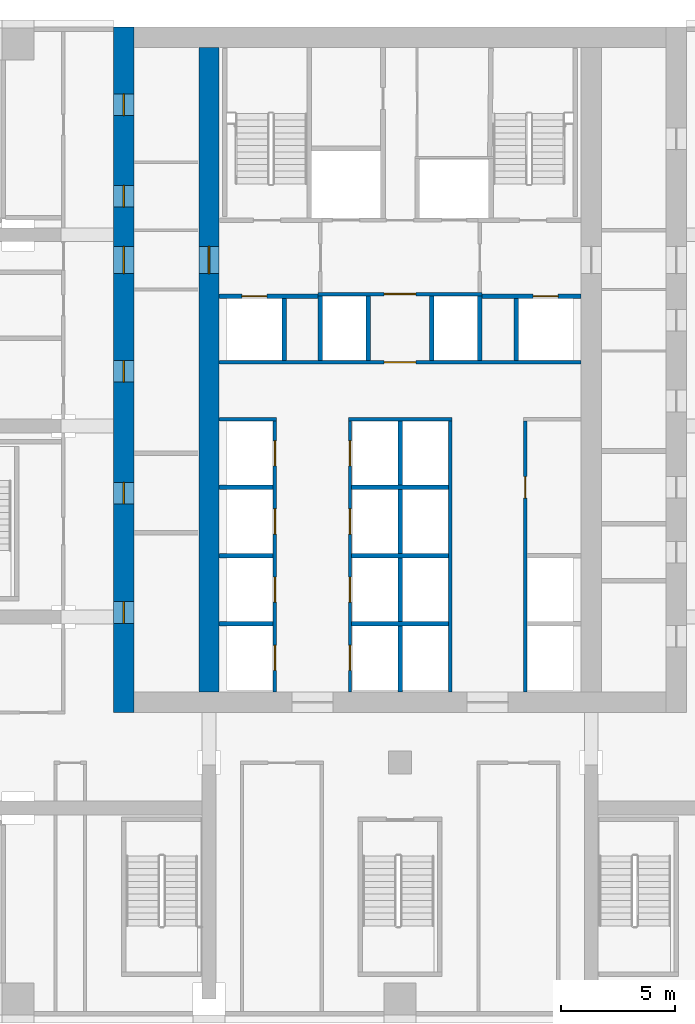
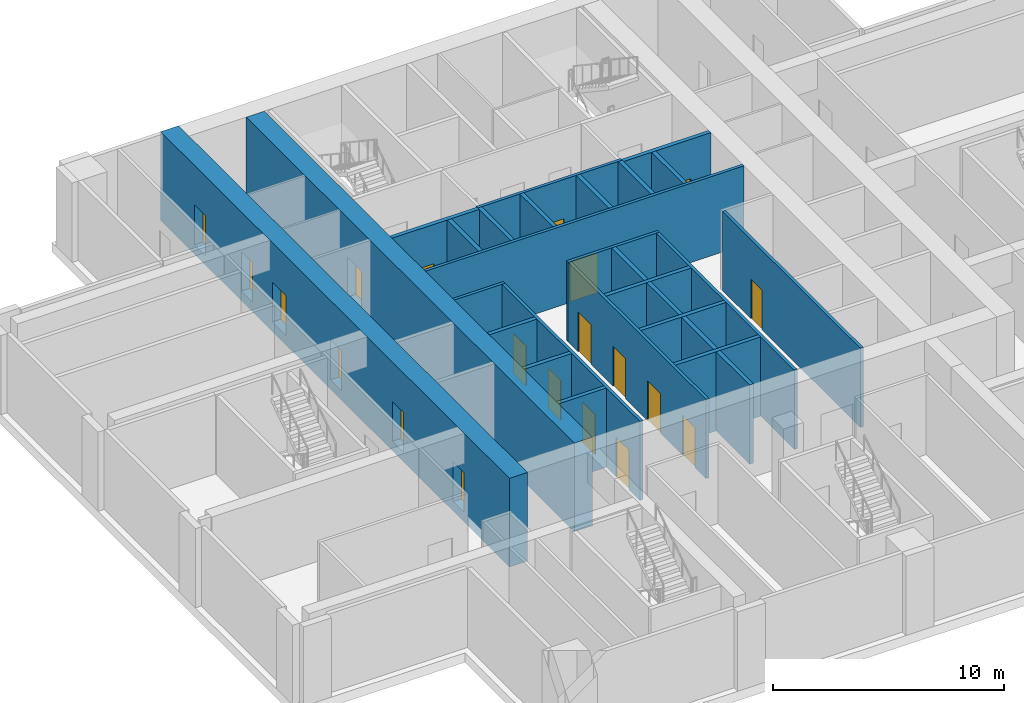
# One storey, part 3 of 11: 25 walls, 20 doors, 20 openings.
"""IFC4 building model written with IfcOpenShell, lengths in metres."""

from ifc_helpers import new_model, si_unit, direction, frame, frame_2d, origin, place, context, subcontext, project, spatial, rectangle, extrude, material, layer, layer_set, type_object, element, fill, save


model = new_model("IFC4")

# Units and contexts
model_context = context("Model", 3, precision=1e-05, world=origin(), true_north=direction((0.0, 1.0)))
body_context = subcontext(model_context, "Body", "Model", "MODEL_VIEW")
ifc_project = project(units=[si_unit("LENGTHUNIT", "METRE"), si_unit("AREAUNIT", "SQUARE_METRE"), si_unit("VOLUMEUNIT", "CUBIC_METRE"), si_unit("PLANEANGLEUNIT", "RADIAN"), si_unit("MASSUNIT", "GRAM", prefix="KILO")], contexts=[model_context])

# Site, building, storey
site_placement = place(None, origin())
site = spatial("IfcSite", under=ifc_project, at=site_placement, CompositionType="ELEMENT")
building_placement = place(site_placement, origin())
building = spatial("IfcBuilding", under=site, at=building_placement, Name="Vermilion Ogive Tower", CompositionType="ELEMENT")
storey_placement = place(building_placement, frame((0.0, 0.0, 75.89990234375)))
storey = spatial("IfcBuildingStorey", under=building, at=storey_placement, Name="L18", CompositionType="ELEMENT", Elevation=75.89990234375)

# Wall, openings, doors
ifc_material_1 = material(Name="Concrete B80", Category="concrete")
ifc_layer_1 = layer(ifc_material_1, 0.89990234375)
ifc_layer_set_1 = layer_set([ifc_layer_1], Name="Core wall 900 B80")
wall_type_1 = type_object("IfcWallType", Name="Core wall 900 B80", PredefinedType="SHEAR", material=ifc_layer_set_1)
wall_1_placement = place(storey_placement, frame((-12.14990234375, -8.39990234375, -0.5), z_axis=(0.0, 0.0, 1.0), x_axis=(0.0, 1.0, 0.0)))
wall_1 = element("IfcWall", 1, at=wall_1_placement, inside=storey, type_object=wall_type_1, Name="L18-CORE-W", PredefinedType="SHEAR", context=body_context, shape_type="SweptSolid", body=[
    extrude(rectangle(XDim=30.14990234375, YDim=0.89990234375, at=frame_2d((15.074951171875, 0.0))), origin(), (0.0, 0.0, 1.0), 4.68017578125),
])
opening_1_placement = place(wall_1_placement, frame((3.925048828125, 0.0, 0.5)))
opening_1 = element("IfcOpeningElement", 2, at=opening_1_placement, cuts=wall_1, Name="Opening DAW001", PredefinedType="OPENING", context=body_context, shape_type="SweptSolid", body=[
    extrude(rectangle(XDim=0.949951171875, YDim=2.10009765625, at=frame_2d((0.47509765625, 1.050048828125))), frame((0.0, 0.4599609375, 0.0), z_axis=(0.0, -1.0, 0.0), x_axis=(1.0, 0.0, 0.0)), (0.0, 0.0, 1.0), 0.919921875),
])
opening_2_placement = place(wall_1_placement, frame((9.175048828125, 0.0, 0.5)))
opening_2 = element("IfcOpeningElement", 3, at=opening_2_placement, cuts=wall_1, Name="Opening DAW002", PredefinedType="OPENING", context=body_context, shape_type="SweptSolid", body=[
    extrude(rectangle(XDim=0.949951171875, YDim=2.10009765625, at=frame_2d((0.47509765625, 1.050048828125))), frame((0.0, 0.4599609375, 0.0), z_axis=(0.0, -1.0, 0.0), x_axis=(1.0, 0.0, 0.0)), (0.0, 0.0, 1.0), 0.919921875),
])
opening_3_placement = place(wall_1_placement, frame((14.52490234375, 0.0, 0.5)))
opening_3 = element("IfcOpeningElement", 4, at=opening_3_placement, cuts=wall_1, Name="Opening DAW003", PredefinedType="OPENING", context=body_context, shape_type="SweptSolid", body=[
    extrude(rectangle(XDim=0.949951171875, YDim=2.10009765625, at=frame_2d((0.47509765625, 1.050048828125))), frame((0.0, 0.4599609375, 0.0), z_axis=(0.0, -1.0, 0.0), x_axis=(1.0, 0.0, 0.0)), (0.0, 0.0, 1.0), 0.919921875),
])
opening_4_placement = place(wall_1_placement, frame((22.22509765625, 0.0, 0.5)))
opening_4 = element("IfcOpeningElement", 5, at=opening_4_placement, cuts=wall_1, Name="Opening DAW004", PredefinedType="OPENING", context=body_context, shape_type="SweptSolid", body=[
    extrude(rectangle(XDim=0.949951171875, YDim=2.10009765625, at=frame_2d((0.47509765625, 1.050048828125))), frame((0.0, 0.4599609375, 0.0), z_axis=(0.0, -1.0, 0.0), x_axis=(1.0, 0.0, 0.0)), (0.0, 0.0, 1.0), 0.919921875),
])
opening_5_placement = place(wall_1_placement, frame((26.25, 0.0, 0.5)))
opening_5 = element("IfcOpeningElement", 6, at=opening_5_placement, cuts=wall_1, Name="Opening DAW005", PredefinedType="OPENING", context=body_context, shape_type="SweptSolid", body=[
    extrude(rectangle(XDim=0.949951171875, YDim=2.10009765625, at=frame_2d((0.47509765625, 1.050048828125))), frame((0.0, 0.4599609375, 0.0), z_axis=(0.0, -1.0, 0.0), x_axis=(1.0, 0.0, 0.0)), (0.0, 0.0, 1.0), 0.919921875),
])
opening_6_placement = place(wall_1_placement, frame((19.300048828125, 0.0, 0.5)))
opening_6 = element("IfcOpeningElement", 7, at=opening_6_placement, cuts=wall_1, Name="Opening DBM001", PredefinedType="OPENING", context=body_context, shape_type="SweptSolid", body=[
    extrude(rectangle(XDim=1.199951171875, YDim=2.10009765625, at=frame_2d((0.60009765625, 1.050048828125))), frame((0.0, 0.4599609375, 0.0), z_axis=(0.0, -1.0, 0.0), x_axis=(1.0, 0.0, 0.0)), (0.0, 0.0, 1.0), 0.919921875),
])
ifc_material_2 = material(Name="Timber door leaf", Category="wood")
door_type_1 = type_object("IfcDoorType", Name="Link door 1200 x 2100 FD60S", OperationType="SINGLE_SWING_LEFT", PredefinedType="DOOR", material=ifc_material_2)
door_1_placement = place(opening_6_placement, origin())
door_1 = element("IfcDoor", 8, at=door_1_placement, inside=storey, type_object=door_type_1, Name="L18-CKW-XL", OperationType="SINGLE_SWING_LEFT", OverallHeight=2.10009765625, OverallWidth=1.199951171875, PredefinedType="DOOR", context=body_context, shape_type="SweptSolid", body=[
    extrude(rectangle(XDim=1.199951171875, YDim=2.10009765625, at=frame_2d((0.60009765625, 1.050048828125))), frame((0.0, 0.02490234375, 0.0), z_axis=(0.0, -1.0, 0.0), x_axis=(1.0, 0.0, 0.0)), (0.0, 0.0, 1.0), 0.050048828125),
])
fill(opening_6, door_1)
ifc_material_3 = material(Name="Timber door leaf", Category="wood")
door_type_2 = type_object("IfcDoorType", Name="Service door 950 x 2100 FD60", OperationType="SINGLE_SWING_LEFT", PredefinedType="DOOR", material=ifc_material_3)
door_2_placement = place(opening_1_placement, origin())
door_2 = element("IfcDoor", 9, at=door_2_placement, inside=storey, type_object=door_type_2, Name="L18-CKW-XR0", OperationType="SINGLE_SWING_LEFT", OverallHeight=2.10009765625, OverallWidth=0.949951171875, PredefinedType="DOOR", context=body_context, shape_type="SweptSolid", body=[
    extrude(rectangle(XDim=0.949951171875, YDim=2.10009765625, at=frame_2d((0.47509765625, 1.050048828125))), frame((0.0, 0.02490234375, 0.0), z_axis=(0.0, -1.0, 0.0), x_axis=(1.0, 0.0, 0.0)), (0.0, 0.0, 1.0), 0.050048828125),
])
fill(opening_1, door_2)
door_3_placement = place(opening_2_placement, origin())
door_3 = element("IfcDoor", 10, at=door_3_placement, inside=storey, type_object=door_type_2, Name="L18-CKW-XR1", OperationType="SINGLE_SWING_LEFT", OverallHeight=2.10009765625, OverallWidth=0.949951171875, PredefinedType="DOOR", context=body_context, shape_type="SweptSolid", body=[
    extrude(rectangle(XDim=0.949951171875, YDim=2.10009765625, at=frame_2d((0.47509765625, 1.050048828125))), frame((0.0, 0.02490234375, 0.0), z_axis=(0.0, -1.0, 0.0), x_axis=(1.0, 0.0, 0.0)), (0.0, 0.0, 1.0), 0.050048828125),
])
fill(opening_2, door_3)
door_4_placement = place(opening_3_placement, origin())
door_4 = element("IfcDoor", 11, at=door_4_placement, inside=storey, type_object=door_type_2, Name="L18-CKW-XR2", OperationType="SINGLE_SWING_LEFT", OverallHeight=2.10009765625, OverallWidth=0.949951171875, PredefinedType="DOOR", context=body_context, shape_type="SweptSolid", body=[
    extrude(rectangle(XDim=0.949951171875, YDim=2.10009765625, at=frame_2d((0.47509765625, 1.050048828125))), frame((0.0, 0.02490234375, 0.0), z_axis=(0.0, -1.0, 0.0), x_axis=(1.0, 0.0, 0.0)), (0.0, 0.0, 1.0), 0.050048828125),
])
fill(opening_3, door_4)
door_5_placement = place(opening_4_placement, origin())
door_5 = element("IfcDoor", 12, at=door_5_placement, inside=storey, type_object=door_type_2, Name="L18-CKW-XR3", OperationType="SINGLE_SWING_LEFT", OverallHeight=2.10009765625, OverallWidth=0.949951171875, PredefinedType="DOOR", context=body_context, shape_type="SweptSolid", body=[
    extrude(rectangle(XDim=0.949951171875, YDim=2.10009765625, at=frame_2d((0.47509765625, 1.050048828125))), frame((0.0, 0.02490234375, 0.0), z_axis=(0.0, -1.0, 0.0), x_axis=(1.0, 0.0, 0.0)), (0.0, 0.0, 1.0), 0.050048828125),
])
fill(opening_4, door_5)
door_6_placement = place(opening_5_placement, origin())
door_6 = element("IfcDoor", 13, at=door_6_placement, inside=storey, type_object=door_type_2, Name="L18-CKW-XR4", OperationType="SINGLE_SWING_LEFT", OverallHeight=2.10009765625, OverallWidth=0.949951171875, PredefinedType="DOOR", context=body_context, shape_type="SweptSolid", body=[
    extrude(rectangle(XDim=0.949951171875, YDim=2.10009765625, at=frame_2d((0.47509765625, 1.050048828125))), frame((0.0, 0.02490234375, 0.0), z_axis=(0.0, -1.0, 0.0), x_axis=(1.0, 0.0, 0.0)), (0.0, 0.0, 1.0), 0.050048828125),
])
fill(opening_5, door_6)

# Wall, opening, door
wall_2_placement = place(storey_placement, frame((-8.39990234375, -7.5, -0.5), z_axis=(0.0, 0.0, 1.0), x_axis=(0.0, 1.0, 0.0)))
wall_2 = element("IfcWall", 14, at=wall_2_placement, inside=storey, type_object=wall_type_1, Name="L18-CORE-WEB1", PredefinedType="SHEAR", context=body_context, shape_type="SweptSolid", body=[
    extrude(rectangle(XDim=28.35009765625, YDim=0.89990234375, at=frame_2d((14.175048828125, 0.0))), origin(), (0.0, 0.0, 1.0), 4.68017578125),
])
opening_7_placement = place(wall_2_placement, frame((18.39990234375, 0.0, 0.5)))
opening_7 = element("IfcOpeningElement", 15, at=opening_7_placement, cuts=wall_2, Name="Opening DBS001", PredefinedType="OPENING", context=body_context, shape_type="SweptSolid", body=[
    extrude(rectangle(XDim=1.199951171875, YDim=2.10009765625, at=frame_2d((0.60009765625, 1.050048828125))), frame((0.0, 0.4599609375, 0.0), z_axis=(0.0, -1.0, 0.0), x_axis=(1.0, 0.0, 0.0)), (0.0, 0.0, 1.0), 0.919921875),
])
door_7_placement = place(opening_7_placement, origin())
door_7 = element("IfcDoor", 16, at=door_7_placement, inside=storey, type_object=door_type_1, Name="L18-CKW-XW", OperationType="SINGLE_SWING_LEFT", OverallHeight=2.10009765625, OverallWidth=1.199951171875, PredefinedType="DOOR", context=body_context, shape_type="SweptSolid", body=[
    extrude(rectangle(XDim=1.199951171875, YDim=2.10009765625, at=frame_2d((0.60009765625, 1.050048828125))), frame((0.0, 0.02490234375, 0.0), z_axis=(0.0, -1.0, 0.0), x_axis=(1.0, 0.0, 0.0)), (0.0, 0.0, 1.0), 0.050048828125),
])
fill(opening_7, door_7)

# Walls
ifc_material_4 = material(Name="Gypsum board partition on steel studs", Category="steel")
ifc_layer_2 = layer(ifc_material_4, 0.14990234375)
ifc_layer_set_2 = layer_set([ifc_layer_2], Name="Partition 150 corridor")
wall_type_2 = type_object("IfcWallType", Name="Partition 150 corridor", PredefinedType="PARTITIONING", material=ifc_layer_set_2)
wall_3_placement = place(storey_placement, frame((-7.948974609375, 4.5, 0.0), z_axis=(0.0, 0.0, 1.0), x_axis=(1.0, 0.0, 0.0)))
element("IfcWall", 17, at=wall_3_placement, inside=storey, type_object=wall_type_2, Name="L18-CK-W-W009", PredefinedType="PARTITIONING", context=body_context, shape_type="SweptSolid", body=[
    extrude(rectangle(XDim=2.52392578125, YDim=0.14990234375, at=frame_2d((1.261962890625, 0.0))), origin(), (0.0, 0.0, 1.0), 4.18017578125),
])
wall_4_placement = place(storey_placement, frame((-2.27490234375, 4.5, 0.0), z_axis=(0.0, 0.0, 1.0), x_axis=(1.0, 0.0, 0.0)))
element("IfcWall", 18, at=wall_4_placement, inside=storey, type_object=wall_type_2, Name="L18-CK-W-W010", PredefinedType="PARTITIONING", context=body_context, shape_type="SweptSolid", body=[
    extrude(rectangle(XDim=4.5498046875, YDim=0.14990234375, at=frame_2d((2.27490234375, 0.0))), origin(), (0.0, 0.0, 1.0), 4.18017578125),
])

# Wall, opening, door
wall_5_placement = place(storey_placement, frame((-7.948974609375, 7.0, 0.0), z_axis=(0.0, 0.0, 1.0), x_axis=(1.0, 0.0, 0.0)))
wall_5 = element("IfcWall", 19, at=wall_5_placement, inside=storey, type_object=wall_type_2, Name="L18-CK-W-W012", PredefinedType="PARTITIONING", context=body_context, shape_type="SweptSolid", body=[
    extrude(rectangle(XDim=15.89794921875, YDim=0.14990234375, at=frame_2d((7.948974609375, 0.0))), origin(), (0.0, 0.0, 1.0), 4.18017578125),
])
opening_8_placement = place(wall_5_placement, frame((7.2490234375, 0.0, 0.0)))
opening_8 = element("IfcOpeningElement", 20, at=opening_8_placement, cuts=wall_5, Name="Opening DAF003", PredefinedType="OPENING", context=body_context, shape_type="SweptSolid", body=[
    extrude(rectangle(XDim=1.39990234375, YDim=2.10009765625, at=frame_2d((0.699951171875, 1.050048828125))), frame((0.0, 0.0849609375, 0.0), z_axis=(0.0, -1.0, 0.0), x_axis=(1.0, 0.0, 0.0)), (0.0, 0.0, 1.0), 0.169921875),
])
ifc_material_5 = material(Name="Timber door leaf", Category="wood")
door_type_3 = type_object("IfcDoorType", Name="Lobby door 1400 x 2100 FD60S", OperationType="SINGLE_SWING_LEFT", PredefinedType="DOOR", material=ifc_material_5)
door_8_placement = place(opening_8_placement, origin())
door_8 = element("IfcDoor", 21, at=door_8_placement, inside=storey, type_object=door_type_3, Name="L18-CK-D-D014", OperationType="SINGLE_SWING_RIGHT", OverallHeight=2.10009765625, OverallWidth=1.39990234375, PredefinedType="DOOR", context=body_context, shape_type="SweptSolid", body=[
    extrude(rectangle(XDim=1.39990234375, YDim=2.10009765625, at=frame_2d((0.699951171875, 1.050048828125))), frame((0.0, 0.02490234375, 0.0), z_axis=(0.0, -1.0, 0.0), x_axis=(1.0, 0.0, 0.0)), (0.0, 0.0, 1.0), 0.050048828125),
])
fill(opening_8, door_8)

wall_6_placement = place(storey_placement, frame((-3.60009765625, 10.0, 0.0), z_axis=(0.0, 0.0, 1.0), x_axis=(1.0, 0.0, 0.0)))
wall_6 = element("IfcWall", 22, at=wall_6_placement, inside=storey, type_object=wall_type_2, Name="L18-CK-W-W015", PredefinedType="PARTITIONING", context=body_context, shape_type="SweptSolid", body=[
    extrude(rectangle(XDim=7.2001953125, YDim=0.14990234375, at=frame_2d((3.60009765625, 0.0))), origin(), (0.0, 0.0, 1.0), 4.18017578125),
])
opening_9_placement = place(wall_6_placement, frame((2.900146484375, 0.0, 0.0)))
opening_9 = element("IfcOpeningElement", 23, at=opening_9_placement, cuts=wall_6, Name="Opening DAF004", PredefinedType="OPENING", context=body_context, shape_type="SweptSolid", body=[
    extrude(rectangle(XDim=1.39990234375, YDim=2.10009765625, at=frame_2d((0.699951171875, 1.050048828125))), frame((0.0, 0.0849609375, 0.0), z_axis=(0.0, -1.0, 0.0), x_axis=(1.0, 0.0, 0.0)), (0.0, 0.0, 1.0), 0.169921875),
])
door_9_placement = place(opening_9_placement, origin())
door_9 = element("IfcDoor", 24, at=door_9_placement, inside=storey, type_object=door_type_3, Name="L18-CK-D-D015", OperationType="SINGLE_SWING_RIGHT", OverallHeight=2.10009765625, OverallWidth=1.39990234375, PredefinedType="DOOR", context=body_context, shape_type="SweptSolid", body=[
    extrude(rectangle(XDim=1.39990234375, YDim=2.10009765625, at=frame_2d((0.699951171875, 1.050048828125))), frame((0.0, 0.02490234375, 0.0), z_axis=(0.0, -1.0, 0.0), x_axis=(1.0, 0.0, 0.0)), (0.0, 0.0, 1.0), 0.050048828125),
])
fill(opening_9, door_9)

# Wall, openings, doors
wall_7_placement = place(storey_placement, frame((-5.5, -7.4990234375, 0.0), z_axis=(0.0, 0.0, 1.0), x_axis=(0.0, 1.0, 0.0)))
wall_7 = element("IfcWall", 25, at=wall_7_placement, inside=storey, type_object=wall_type_2, Name="L18-CK-W-W021", PredefinedType="PARTITIONING", context=body_context, shape_type="SweptSolid", body=[
    extrude(rectangle(XDim=11.924072265625, YDim=0.14990234375, at=frame_2d((5.9619140625, 0.0))), origin(), (0.0, 0.0, 1.0), 4.18017578125),
])
opening_10_placement = place(wall_7_placement, frame((0.948974609375, 0.0, 0.0)))
opening_10 = element("IfcOpeningElement", 26, at=opening_10_placement, cuts=wall_7, Name="Opening DAF011", PredefinedType="OPENING", context=body_context, shape_type="SweptSolid", body=[
    extrude(rectangle(XDim=1.10009765625, YDim=2.10009765625, at=frame_2d((0.550048828125, 1.050048828125))), frame((0.0, 0.0849609375, 0.0), z_axis=(0.0, -1.0, 0.0), x_axis=(1.0, 0.0, 0.0)), (0.0, 0.0, 1.0), 0.169921875),
])
opening_11_placement = place(wall_7_placement, frame((3.948974609375, 0.0, 0.0)))
opening_11 = element("IfcOpeningElement", 27, at=opening_11_placement, cuts=wall_7, Name="Opening DAF014", PredefinedType="OPENING", context=body_context, shape_type="SweptSolid", body=[
    extrude(rectangle(XDim=1.10009765625, YDim=2.10009765625, at=frame_2d((0.550048828125, 1.050048828125))), frame((0.0, 0.0849609375, 0.0), z_axis=(0.0, -1.0, 0.0), x_axis=(1.0, 0.0, 0.0)), (0.0, 0.0, 1.0), 0.169921875),
])
opening_12_placement = place(wall_7_placement, frame((6.948974609375, 0.0, 0.0)))
opening_12 = element("IfcOpeningElement", 28, at=opening_12_placement, cuts=wall_7, Name="Opening DAF015", PredefinedType="OPENING", context=body_context, shape_type="SweptSolid", body=[
    extrude(rectangle(XDim=1.10009765625, YDim=2.10009765625, at=frame_2d((0.550048828125, 1.050048828125))), frame((0.0, 0.0849609375, 0.0), z_axis=(0.0, -1.0, 0.0), x_axis=(1.0, 0.0, 0.0)), (0.0, 0.0, 1.0), 0.169921875),
])
opening_13_placement = place(wall_7_placement, frame((9.948974609375, 0.0, 0.0)))
opening_13 = element("IfcOpeningElement", 29, at=opening_13_placement, cuts=wall_7, Name="Opening DAF016", PredefinedType="OPENING", context=body_context, shape_type="SweptSolid", body=[
    extrude(rectangle(XDim=1.10009765625, YDim=2.10009765625, at=frame_2d((0.550048828125, 1.050048828125))), frame((0.0, 0.0849609375, 0.0), z_axis=(0.0, -1.0, 0.0), x_axis=(1.0, 0.0, 0.0)), (0.0, 0.0, 1.0), 0.169921875),
])
ifc_material_6 = material(Name="Stainless steel", Category="steel")
door_type_4 = type_object("IfcDoorType", Name="Lift landing door 1100 x 2100", OperationType="SLIDING_TO_LEFT", PredefinedType="DOOR", material=ifc_material_6)
door_10_placement = place(opening_10_placement, origin())
door_10 = element("IfcDoor", 30, at=door_10_placement, inside=storey, type_object=door_type_4, Name="L18-CK-D-D001", OperationType="SLIDING_TO_RIGHT", OverallHeight=2.10009765625, OverallWidth=1.10009765625, PredefinedType="DOOR", context=body_context, shape_type="SweptSolid", body=[
    extrude(rectangle(XDim=1.10009765625, YDim=2.10009765625, at=frame_2d((0.550048828125, 1.050048828125))), frame((0.0, 0.02490234375, 0.0), z_axis=(0.0, -1.0, 0.0), x_axis=(1.0, 0.0, 0.0)), (0.0, 0.0, 1.0), 0.050048828125),
])
fill(opening_10, door_10)
door_11_placement = place(opening_11_placement, origin())
door_11 = element("IfcDoor", 31, at=door_11_placement, inside=storey, type_object=door_type_4, Name="L18-CK-D-D002", OperationType="SLIDING_TO_RIGHT", OverallHeight=2.10009765625, OverallWidth=1.10009765625, PredefinedType="DOOR", context=body_context, shape_type="SweptSolid", body=[
    extrude(rectangle(XDim=1.10009765625, YDim=2.10009765625, at=frame_2d((0.550048828125, 1.050048828125))), frame((0.0, 0.02490234375, 0.0), z_axis=(0.0, -1.0, 0.0), x_axis=(1.0, 0.0, 0.0)), (0.0, 0.0, 1.0), 0.050048828125),
])
fill(opening_11, door_11)
door_12_placement = place(opening_12_placement, origin())
door_12 = element("IfcDoor", 32, at=door_12_placement, inside=storey, type_object=door_type_4, Name="L18-CK-D-D003", OperationType="SLIDING_TO_RIGHT", OverallHeight=2.10009765625, OverallWidth=1.10009765625, PredefinedType="DOOR", context=body_context, shape_type="SweptSolid", body=[
    extrude(rectangle(XDim=1.10009765625, YDim=2.10009765625, at=frame_2d((0.550048828125, 1.050048828125))), frame((0.0, 0.02490234375, 0.0), z_axis=(0.0, -1.0, 0.0), x_axis=(1.0, 0.0, 0.0)), (0.0, 0.0, 1.0), 0.050048828125),
])
fill(opening_12, door_12)
door_13_placement = place(opening_13_placement, origin())
door_13 = element("IfcDoor", 33, at=door_13_placement, inside=storey, type_object=door_type_4, Name="L18-CK-D-D004", OperationType="SLIDING_TO_RIGHT", OverallHeight=2.10009765625, OverallWidth=1.10009765625, PredefinedType="DOOR", context=body_context, shape_type="SweptSolid", body=[
    extrude(rectangle(XDim=1.10009765625, YDim=2.10009765625, at=frame_2d((0.550048828125, 1.050048828125))), frame((0.0, 0.02490234375, 0.0), z_axis=(0.0, -1.0, 0.0), x_axis=(1.0, 0.0, 0.0)), (0.0, 0.0, 1.0), 0.050048828125),
])
fill(opening_13, door_13)

wall_8_placement = place(storey_placement, frame((-2.199951171875, -7.4990234375, 0.0), z_axis=(0.0, 0.0, 1.0), x_axis=(0.0, 1.0, 0.0)))
wall_8 = element("IfcWall", 34, at=wall_8_placement, inside=storey, type_object=wall_type_2, Name="L18-CK-W-W026", PredefinedType="PARTITIONING", context=body_context, shape_type="SweptSolid", body=[
    extrude(rectangle(XDim=11.924072265625, YDim=0.14990234375, at=frame_2d((5.9619140625, 0.0))), origin(), (0.0, 0.0, 1.0), 4.18017578125),
])
opening_14_placement = place(wall_8_placement, frame((0.948974609375, 0.0, 0.0)))
opening_14 = element("IfcOpeningElement", 35, at=opening_14_placement, cuts=wall_8, Name="Opening DAF017", PredefinedType="OPENING", context=body_context, shape_type="SweptSolid", body=[
    extrude(rectangle(XDim=1.10009765625, YDim=2.10009765625, at=frame_2d((0.550048828125, 1.050048828125))), frame((0.0, 0.0849609375, 0.0), z_axis=(0.0, -1.0, 0.0), x_axis=(1.0, 0.0, 0.0)), (0.0, 0.0, 1.0), 0.169921875),
])
opening_15_placement = place(wall_8_placement, frame((3.948974609375, 0.0, 0.0)))
opening_15 = element("IfcOpeningElement", 36, at=opening_15_placement, cuts=wall_8, Name="Opening DAF018", PredefinedType="OPENING", context=body_context, shape_type="SweptSolid", body=[
    extrude(rectangle(XDim=1.10009765625, YDim=2.10009765625, at=frame_2d((0.550048828125, 1.050048828125))), frame((0.0, 0.0849609375, 0.0), z_axis=(0.0, -1.0, 0.0), x_axis=(1.0, 0.0, 0.0)), (0.0, 0.0, 1.0), 0.169921875),
])
opening_16_placement = place(wall_8_placement, frame((6.948974609375, 0.0, 0.0)))
opening_16 = element("IfcOpeningElement", 37, at=opening_16_placement, cuts=wall_8, Name="Opening DAF019", PredefinedType="OPENING", context=body_context, shape_type="SweptSolid", body=[
    extrude(rectangle(XDim=1.10009765625, YDim=2.10009765625, at=frame_2d((0.550048828125, 1.050048828125))), frame((0.0, 0.0849609375, 0.0), z_axis=(0.0, -1.0, 0.0), x_axis=(1.0, 0.0, 0.0)), (0.0, 0.0, 1.0), 0.169921875),
])
opening_17_placement = place(wall_8_placement, frame((9.948974609375, 0.0, 0.0)))
opening_17 = element("IfcOpeningElement", 38, at=opening_17_placement, cuts=wall_8, Name="Opening DAF020", PredefinedType="OPENING", context=body_context, shape_type="SweptSolid", body=[
    extrude(rectangle(XDim=1.10009765625, YDim=2.10009765625, at=frame_2d((0.550048828125, 1.050048828125))), frame((0.0, 0.0849609375, 0.0), z_axis=(0.0, -1.0, 0.0), x_axis=(1.0, 0.0, 0.0)), (0.0, 0.0, 1.0), 0.169921875),
])
door_14_placement = place(opening_14_placement, origin())
door_14 = element("IfcDoor", 39, at=door_14_placement, inside=storey, type_object=door_type_4, Name="L18-CK-D-D005", OperationType="SLIDING_TO_RIGHT", OverallHeight=2.10009765625, OverallWidth=1.10009765625, PredefinedType="DOOR", context=body_context, shape_type="SweptSolid", body=[
    extrude(rectangle(XDim=1.10009765625, YDim=2.10009765625, at=frame_2d((0.550048828125, 1.050048828125))), frame((0.0, 0.02490234375, 0.0), z_axis=(0.0, -1.0, 0.0), x_axis=(1.0, 0.0, 0.0)), (0.0, 0.0, 1.0), 0.050048828125),
])
fill(opening_14, door_14)
door_15_placement = place(opening_15_placement, origin())
door_15 = element("IfcDoor", 40, at=door_15_placement, inside=storey, type_object=door_type_4, Name="L18-CK-D-D006", OperationType="SLIDING_TO_RIGHT", OverallHeight=2.10009765625, OverallWidth=1.10009765625, PredefinedType="DOOR", context=body_context, shape_type="SweptSolid", body=[
    extrude(rectangle(XDim=1.10009765625, YDim=2.10009765625, at=frame_2d((0.550048828125, 1.050048828125))), frame((0.0, 0.02490234375, 0.0), z_axis=(0.0, -1.0, 0.0), x_axis=(1.0, 0.0, 0.0)), (0.0, 0.0, 1.0), 0.050048828125),
])
fill(opening_15, door_15)
door_16_placement = place(opening_16_placement, origin())
door_16 = element("IfcDoor", 41, at=door_16_placement, inside=storey, type_object=door_type_4, Name="L18-CK-D-D007", OperationType="SLIDING_TO_RIGHT", OverallHeight=2.10009765625, OverallWidth=1.10009765625, PredefinedType="DOOR", context=body_context, shape_type="SweptSolid", body=[
    extrude(rectangle(XDim=1.10009765625, YDim=2.10009765625, at=frame_2d((0.550048828125, 1.050048828125))), frame((0.0, 0.02490234375, 0.0), z_axis=(0.0, -1.0, 0.0), x_axis=(1.0, 0.0, 0.0)), (0.0, 0.0, 1.0), 0.050048828125),
])
fill(opening_16, door_16)
door_17_placement = place(opening_17_placement, origin())
door_17 = element("IfcDoor", 42, at=door_17_placement, inside=storey, type_object=door_type_4, Name="L18-CK-D-D008", OperationType="SLIDING_TO_RIGHT", OverallHeight=2.10009765625, OverallWidth=1.10009765625, PredefinedType="DOOR", context=body_context, shape_type="SweptSolid", body=[
    extrude(rectangle(XDim=1.10009765625, YDim=2.10009765625, at=frame_2d((0.550048828125, 1.050048828125))), frame((0.0, 0.02490234375, 0.0), z_axis=(0.0, -1.0, 0.0), x_axis=(1.0, 0.0, 0.0)), (0.0, 0.0, 1.0), 0.050048828125),
])
fill(opening_17, door_17)

# Wall
wall_9_placement = place(storey_placement, frame((2.199951171875, -7.4990234375, 0.0), z_axis=(0.0, 0.0, 1.0), x_axis=(0.0, 1.0, 0.0)))
element("IfcWall", 43, at=wall_9_placement, inside=storey, type_object=wall_type_2, Name="L18-CK-W-W033", PredefinedType="PARTITIONING", context=body_context, shape_type="SweptSolid", body=[
    extrude(rectangle(XDim=11.924072265625, YDim=0.14990234375, at=frame_2d((5.9619140625, 0.0))), origin(), (0.0, 0.0, 1.0), 4.18017578125),
])

# Wall, opening, door
wall_10_placement = place(storey_placement, frame((5.5, -7.4990234375, 0.0), z_axis=(0.0, 0.0, 1.0), x_axis=(0.0, 1.0, 0.0)))
wall_10 = element("IfcWall", 44, at=wall_10_placement, inside=storey, type_object=wall_type_2, Name="L18-CK-W-W039", PredefinedType="PARTITIONING", context=body_context, shape_type="SweptSolid", body=[
    extrude(rectangle(XDim=11.924072265625, YDim=0.14990234375, at=frame_2d((5.9619140625, 0.0))), origin(), (0.0, 0.0, 1.0), 4.18017578125),
])
opening_18_placement = place(wall_10_placement, frame((8.52392578125, 0.0, 0.0)))
opening_18 = element("IfcOpeningElement", 45, at=opening_18_placement, cuts=wall_10, Name="Opening DAF006", PredefinedType="OPENING", context=body_context, shape_type="SweptSolid", body=[
    extrude(rectangle(XDim=0.949951171875, YDim=2.10009765625, at=frame_2d((0.47509765625, 1.050048828125))), frame((0.0, 0.0849609375, 0.0), z_axis=(0.0, -1.0, 0.0), x_axis=(1.0, 0.0, 0.0)), (0.0, 0.0, 1.0), 0.169921875),
])
door_18_placement = place(opening_18_placement, origin())
door_18 = element("IfcDoor", 46, at=door_18_placement, inside=storey, type_object=door_type_2, Name="L18-CK-D-D009", OperationType="SINGLE_SWING_LEFT", OverallHeight=2.10009765625, OverallWidth=0.949951171875, PredefinedType="DOOR", context=body_context, shape_type="SweptSolid", body=[
    extrude(rectangle(XDim=0.949951171875, YDim=2.10009765625, at=frame_2d((0.47509765625, 1.050048828125))), frame((0.0, 0.02490234375, 0.0), z_axis=(0.0, -1.0, 0.0), x_axis=(1.0, 0.0, 0.0)), (0.0, 0.0, 1.0), 0.050048828125),
])
fill(opening_18, door_18)

# Walls
ifc_material_7 = material(Name="Gypsum board partition on steel studs", Category="steel")
ifc_layer_3 = layer(ifc_material_7, 0.199951171875)
ifc_layer_set_3 = layer_set([ifc_layer_3], Name="Partition 200 party")
wall_type_3 = type_object("IfcWallType", Name="Partition 200 party", PredefinedType="PARTITIONING", material=ifc_layer_set_3)
wall_11_placement = place(storey_placement, frame((-7.948974609375, -4.5, 0.0), z_axis=(0.0, 0.0, 1.0), x_axis=(1.0, 0.0, 0.0)))
element("IfcWall", 47, at=wall_11_placement, inside=storey, type_object=wall_type_3, Name="L18-CK-W-W001", PredefinedType="PARTITIONING", context=body_context, shape_type="SweptSolid", body=[
    extrude(rectangle(XDim=2.3740234375, YDim=0.199951171875, at=frame_2d((1.18701171875, 0.0))), origin(), (0.0, 0.0, 1.0), 4.18017578125),
])
wall_12_placement = place(storey_placement, frame((-2.125, -4.5, 0.0), z_axis=(0.0, 0.0, 1.0), x_axis=(1.0, 0.0, 0.0)))
element("IfcWall", 48, at=wall_12_placement, inside=storey, type_object=wall_type_3, Name="L18-CK-W-W002", PredefinedType="PARTITIONING", context=body_context, shape_type="SweptSolid", body=[
    extrude(rectangle(XDim=4.25, YDim=0.199951171875, at=frame_2d((2.125, 0.0))), origin(), (0.0, 0.0, 1.0), 4.18017578125),
])
wall_13_placement = place(storey_placement, frame((-7.948974609375, -1.5, 0.0), z_axis=(0.0, 0.0, 1.0), x_axis=(1.0, 0.0, 0.0)))
element("IfcWall", 49, at=wall_13_placement, inside=storey, type_object=wall_type_3, Name="L18-CK-W-W004", PredefinedType="PARTITIONING", context=body_context, shape_type="SweptSolid", body=[
    extrude(rectangle(XDim=2.3740234375, YDim=0.199951171875, at=frame_2d((1.18701171875, 0.0))), origin(), (0.0, 0.0, 1.0), 4.18017578125),
])
wall_14_placement = place(storey_placement, frame((-2.125, -1.5, 0.0), z_axis=(0.0, 0.0, 1.0), x_axis=(1.0, 0.0, 0.0)))
element("IfcWall", 50, at=wall_14_placement, inside=storey, type_object=wall_type_3, Name="L18-CK-W-W005", PredefinedType="PARTITIONING", context=body_context, shape_type="SweptSolid", body=[
    extrude(rectangle(XDim=4.25, YDim=0.199951171875, at=frame_2d((2.125, 0.0))), origin(), (0.0, 0.0, 1.0), 4.18017578125),
])
wall_15_placement = place(storey_placement, frame((-7.948974609375, 1.5, 0.0), z_axis=(0.0, 0.0, 1.0), x_axis=(1.0, 0.0, 0.0)))
element("IfcWall", 51, at=wall_15_placement, inside=storey, type_object=wall_type_3, Name="L18-CK-W-W007", PredefinedType="PARTITIONING", context=body_context, shape_type="SweptSolid", body=[
    extrude(rectangle(XDim=2.3740234375, YDim=0.199951171875, at=frame_2d((1.18701171875, 0.0))), origin(), (0.0, 0.0, 1.0), 4.18017578125),
])
wall_16_placement = place(storey_placement, frame((-2.125, 1.5, 0.0), z_axis=(0.0, 0.0, 1.0), x_axis=(1.0, 0.0, 0.0)))
element("IfcWall", 52, at=wall_16_placement, inside=storey, type_object=wall_type_3, Name="L18-CK-W-W008", PredefinedType="PARTITIONING", context=body_context, shape_type="SweptSolid", body=[
    extrude(rectangle(XDim=4.25, YDim=0.199951171875, at=frame_2d((2.125, 0.0))), origin(), (0.0, 0.0, 1.0), 4.18017578125),
])

# Wall, opening, door
wall_17_placement = place(storey_placement, frame((-7.948974609375, 9.89990234375, 0.0), z_axis=(0.0, 0.0, 1.0), x_axis=(1.0, 0.0, 0.0)))
wall_17 = element("IfcWall", 53, at=wall_17_placement, inside=storey, type_object=wall_type_3, Name="L18-CK-W-W013", PredefinedType="PARTITIONING", context=body_context, shape_type="SweptSolid", body=[
    extrude(rectangle(XDim=4.348876953125, YDim=0.199951171875, at=frame_2d((2.17431640625, 0.0))), origin(), (0.0, 0.0, 1.0), 4.18017578125),
])
opening_19_placement = place(wall_17_placement, frame((0.9990234375, 0.0, 0.0)))
opening_19 = element("IfcOpeningElement", 54, at=opening_19_placement, cuts=wall_17, Name="Opening DAF021", PredefinedType="OPENING", context=body_context, shape_type="SweptSolid", body=[
    extrude(rectangle(XDim=1.10009765625, YDim=2.10009765625, at=frame_2d((0.550048828125, 1.050048828125))), frame((0.0, 0.10986328125, 0.0), z_axis=(0.0, -1.0, 0.0), x_axis=(1.0, 0.0, 0.0)), (0.0, 0.0, 1.0), 0.219970703125),
])
door_19_placement = place(opening_19_placement, origin())
door_19 = element("IfcDoor", 55, at=door_19_placement, inside=storey, type_object=door_type_4, Name="L18-CK-D-D011", OperationType="SLIDING_TO_RIGHT", OverallHeight=2.10009765625, OverallWidth=1.10009765625, PredefinedType="DOOR", context=body_context, shape_type="SweptSolid", body=[
    extrude(rectangle(XDim=1.10009765625, YDim=2.10009765625, at=frame_2d((0.550048828125, 1.050048828125))), frame((0.0, 0.02490234375, 0.0), z_axis=(0.0, -1.0, 0.0), x_axis=(1.0, 0.0, 0.0)), (0.0, 0.0, 1.0), 0.050048828125),
])
fill(opening_19, door_19)

wall_18_placement = place(storey_placement, frame((3.60009765625, 9.89990234375, 0.0), z_axis=(0.0, 0.0, 1.0), x_axis=(1.0, 0.0, 0.0)))
wall_18 = element("IfcWall", 56, at=wall_18_placement, inside=storey, type_object=wall_type_3, Name="L18-CK-W-W014", PredefinedType="PARTITIONING", context=body_context, shape_type="SweptSolid", body=[
    extrude(rectangle(XDim=4.348876953125, YDim=0.199951171875, at=frame_2d((2.17431640625, 0.0))), origin(), (0.0, 0.0, 1.0), 4.18017578125),
])
opening_20_placement = place(wall_18_placement, frame((2.25, 0.0, 0.0)))
opening_20 = element("IfcOpeningElement", 57, at=opening_20_placement, cuts=wall_18, Name="Opening DAF012", PredefinedType="OPENING", context=body_context, shape_type="SweptSolid", body=[
    extrude(rectangle(XDim=1.10009765625, YDim=2.10009765625, at=frame_2d((0.550048828125, 1.050048828125))), frame((0.0, 0.10986328125, 0.0), z_axis=(0.0, -1.0, 0.0), x_axis=(1.0, 0.0, 0.0)), (0.0, 0.0, 1.0), 0.219970703125),
])
door_20_placement = place(opening_20_placement, origin())
door_20 = element("IfcDoor", 58, at=door_20_placement, inside=storey, type_object=door_type_4, Name="L18-CK-D-D013", OperationType="SLIDING_TO_LEFT", OverallHeight=2.10009765625, OverallWidth=1.10009765625, PredefinedType="DOOR", context=body_context, shape_type="SweptSolid", body=[
    extrude(rectangle(XDim=1.10009765625, YDim=2.10009765625, at=frame_2d((0.550048828125, 1.050048828125))), frame((0.0, 0.02490234375, 0.0), z_axis=(0.0, -1.0, 0.0), x_axis=(1.0, 0.0, 0.0)), (0.0, 0.0, 1.0), 0.050048828125),
])
fill(opening_20, door_20)

# Walls
wall_19_placement = place(storey_placement, frame((-5.10009765625, 7.074951171875, 0.0), z_axis=(0.0, 0.0, 1.0), x_axis=(0.0, 1.0, 0.0)))
element("IfcWall", 59, at=wall_19_placement, inside=storey, type_object=wall_type_3, Name="L18-CK-W-W022", PredefinedType="PARTITIONING", context=body_context, shape_type="SweptSolid", body=[
    extrude(rectangle(XDim=2.72509765625, YDim=0.199951171875, at=frame_2d((1.362548828125, 0.0))), origin(), (0.0, 0.0, 1.0), 4.18017578125),
])
for number, where, z_axis, x_axis, name in (
    (60, (-3.5, 7.074951171875, 0.0), (0.0, 0.0, 1.0), (0.0, 1.0, 0.0), "L18-CK-W-W024"),
    (61, (-1.39990234375, 7.074951171875, 0.0), (0.0, 0.0, 1.0), (0.0, 1.0, 0.0), "L18-CK-W-W027"),
):
    element("IfcWall", number, at=place(storey_placement, frame(where, z_axis=z_axis, x_axis=x_axis)), inside=storey, type_object=wall_type_3, Name=name, PredefinedType="PARTITIONING", context=body_context, shape_type="SweptSolid", body=[
        extrude(rectangle(XDim=2.85009765625, YDim=0.199951171875, at=frame_2d((1.425048828125, 0.0))), origin(), (0.0, 0.0, 1.0), 4.18017578125),
    ])
wall_20_placement = place(storey_placement, frame((0.0, -7.4990234375, 0.0), z_axis=(0.0, 0.0, 1.0), x_axis=(0.0, 1.0, 0.0)))
element("IfcWall", 62, at=wall_20_placement, inside=storey, type_object=wall_type_3, Name="L18-CK-W-W029", PredefinedType="PARTITIONING", context=body_context, shape_type="SweptSolid", body=[
    extrude(rectangle(XDim=11.924072265625, YDim=0.199951171875, at=frame_2d((5.9619140625, 0.0))), origin(), (0.0, 0.0, 1.0), 4.18017578125),
])
for number, where, z_axis, x_axis, name in (
    (63, (1.39990234375, 7.074951171875, 0.0), (0.0, 0.0, 1.0), (0.0, 1.0, 0.0), "L18-CK-W-W032"),
    (64, (3.5, 7.074951171875, 0.0), (0.0, 0.0, 1.0), (0.0, 1.0, 0.0), "L18-CK-W-W034"),
):
    element("IfcWall", number, at=place(storey_placement, frame(where, z_axis=z_axis, x_axis=x_axis)), inside=storey, type_object=wall_type_3, Name=name, PredefinedType="PARTITIONING", context=body_context, shape_type="SweptSolid", body=[
        extrude(rectangle(XDim=2.85009765625, YDim=0.199951171875, at=frame_2d((1.425048828125, 0.0))), origin(), (0.0, 0.0, 1.0), 4.18017578125),
    ])
wall_21_placement = place(storey_placement, frame((5.10009765625, 7.074951171875, 0.0), z_axis=(0.0, 0.0, 1.0), x_axis=(0.0, 1.0, 0.0)))
element("IfcWall", 65, at=wall_21_placement, inside=storey, type_object=wall_type_3, Name="L18-CK-W-W038", PredefinedType="PARTITIONING", context=body_context, shape_type="SweptSolid", body=[
    extrude(rectangle(XDim=2.72509765625, YDim=0.199951171875, at=frame_2d((1.362548828125, 0.0))), origin(), (0.0, 0.0, 1.0), 4.18017578125),
])

save(model, "model.ifc")
